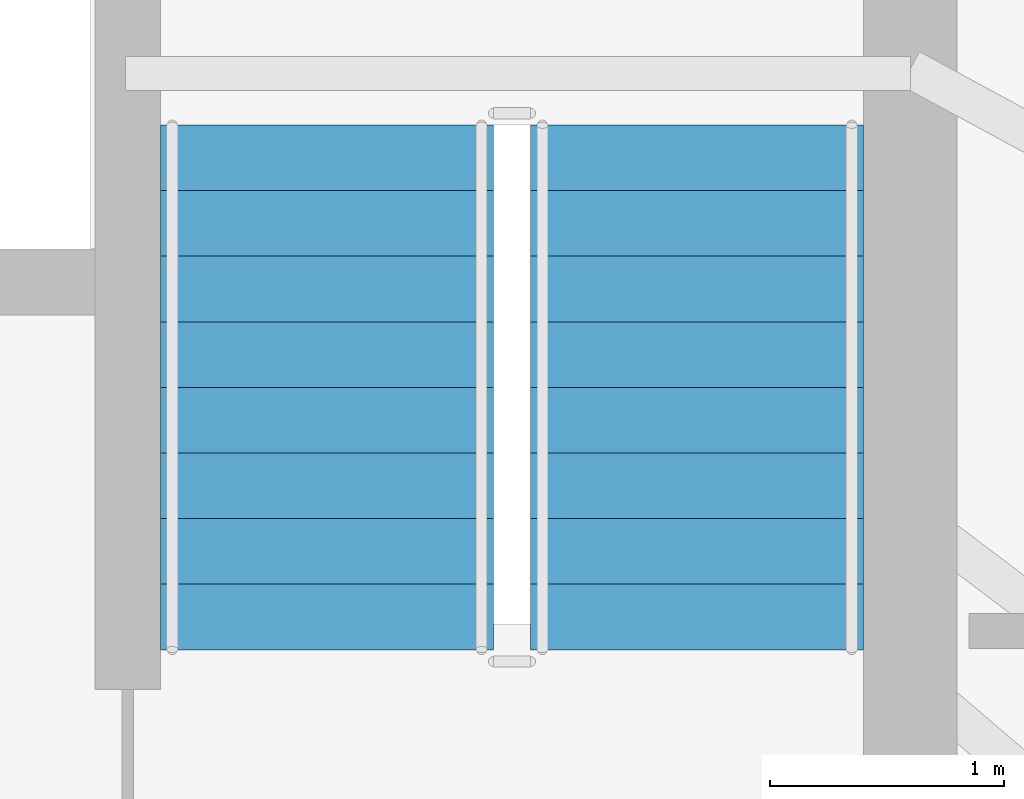
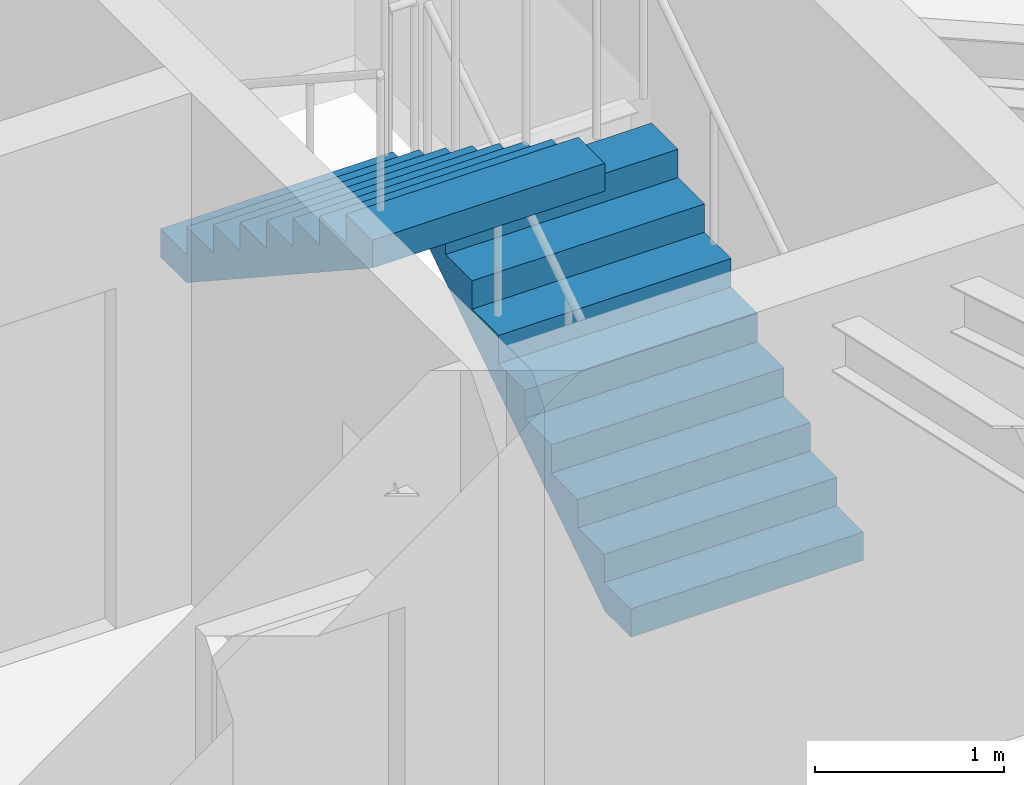
# One storey, part 26 of 29: 2 stair flights, 1 element without a shape of its own.
"""IFC4 building model written with IfcOpenShell, lengths in metres."""

from ifc_helpers import new_model, si_unit, direction, frame, origin, place, context, subcontext, project, spatial, polyline, outline, extrude, material, type_object, element, aggregate, save


model = new_model("IFC4")

# Units and contexts
model_context = context("Model", 3, precision=1e-05, world=origin(), true_north=direction((0.0, 1.0)))
body_context = subcontext(model_context, "Body", "Model", "MODEL_VIEW")
ifc_project = project(units=[si_unit("LENGTHUNIT", "METRE"), si_unit("AREAUNIT", "SQUARE_METRE"), si_unit("VOLUMEUNIT", "CUBIC_METRE"), si_unit("PLANEANGLEUNIT", "RADIAN"), si_unit("MASSUNIT", "GRAM", prefix="KILO")], contexts=[model_context])

# Site, building, storey
site_placement = place(None, origin())
site = spatial("IfcSite", under=ifc_project, at=site_placement, CompositionType="ELEMENT")
building_placement = place(site_placement, origin())
building = spatial("IfcBuilding", under=site, at=building_placement, Name="Orvanel Arch Residences", CompositionType="ELEMENT")
storey_placement = place(building_placement, frame((0.0, 0.0, 173.75)))
storey = spatial("IfcBuildingStorey", under=building, at=storey_placement, Name="L49", CompositionType="ELEMENT", Elevation=173.75)

# Stair, stair flights
ifc_material = material(Name="Precast concrete N50 (50 MPa)", Category="concrete")
stair_type = type_object("IfcStairType", Name="STR-DOG-184", PredefinedType="USERDEFINED", material=ifc_material)
stair_placement = place(storey_placement, origin())
stair = element("IfcStair", 1, at=stair_placement, inside=storey, type_object=stair_type, Name="L49 Fire-Isolated Core Exit Stair 2", ObjectType="TWO_RETURN_STAIR", PredefinedType="USERDEFINED")
stair_flight_type = type_object("IfcStairFlightType", Name="SFL-C2-184", PredefinedType="STRAIGHT", material=ifc_material)
stair_flight_1_placement = place(storey_placement, frame((38.68994140625, 28.320068359375, 0.0), z_axis=(0.0, 0.0, 1.0), x_axis=(0.0, 1.0, 0.0)))
stair_flight_1 = element("IfcStairFlight", 2, at=stair_flight_1_placement, type_object=stair_flight_type, Name="ST-2 flight 1", NumberOfRisers=9, NumberOfTreads=8, PredefinedType="STRAIGHT", RiserHeight=0.183333333, TreadLength=0.28, context=body_context, shape_type="SweptSolid", body=[
    extrude(outline(polyline([(0.0, 0.0), (0.0, 0.183349609375), (0.280029296875, 0.183349609375), (0.280029296875, 0.36669921875), (0.56005859375, 0.36669921875), (0.56005859375, 0.550048828125), (0.840087890625, 0.550048828125), (0.840087890625, 0.7333984375), (1.1201171875, 0.7333984375), (1.1201171875, 0.916748046875), (1.39990234375, 0.916748046875), (1.39990234375, 1.10009765625), (1.679931640625, 1.10009765625), (1.679931640625, 1.283447265625), (1.9599609375, 1.283447265625), (1.9599609375, 1.466552734375), (2.239990234375, 1.466552734375), (2.239990234375, 1.64990234375), (2.239990234375, 1.28759765625), (0.273681640625, 0.0), (0.0, 0.0)])), frame((0.0, 0.7099609375, 0.0), z_axis=(0.0, -1.0, 0.0), x_axis=(1.0, 0.0, 0.0)), (0.0, 0.0, 1.0), 1.419921875),
])
stair_flight_2_placement = place(storey_placement, frame((37.110107421875, 30.56005859375, 1.64990234375), z_axis=(0.0, 0.0, 1.0), x_axis=(0.0, -1.0, 0.0)))
stair_flight_2 = element("IfcStairFlight", 3, at=stair_flight_2_placement, type_object=stair_flight_type, Name="ST-2 flight 2", NumberOfRisers=9, NumberOfTreads=8, PredefinedType="STRAIGHT", RiserHeight=0.183333333, TreadLength=0.28, context=body_context, shape_type="SweptSolid", body=[
    extrude(outline(polyline([(0.0, 0.0), (0.0, 0.183349609375), (0.280029296875, 0.183349609375), (0.280029296875, 0.36669921875), (0.56005859375, 0.36669921875), (0.56005859375, 0.550048828125), (0.840087890625, 0.550048828125), (0.840087890625, 0.7333984375), (1.1201171875, 0.7333984375), (1.1201171875, 0.916748046875), (1.39990234375, 0.916748046875), (1.39990234375, 1.10009765625), (1.679931640625, 1.10009765625), (1.679931640625, 1.283447265625), (1.9599609375, 1.283447265625), (1.9599609375, 1.466552734375), (2.239990234375, 1.466552734375), (2.239990234375, 1.64990234375), (2.239990234375, 1.28759765625), (0.273681640625, 0.0), (0.0, 0.0)])), frame((0.0, 0.7099609375, 0.0), z_axis=(0.0, -1.0, 0.0), x_axis=(1.0, 0.0, 0.0)), (0.0, 0.0, 1.0), 1.419921875),
])
aggregate(stair, [stair_flight_1, stair_flight_2])

save(model, "model.ifc")
